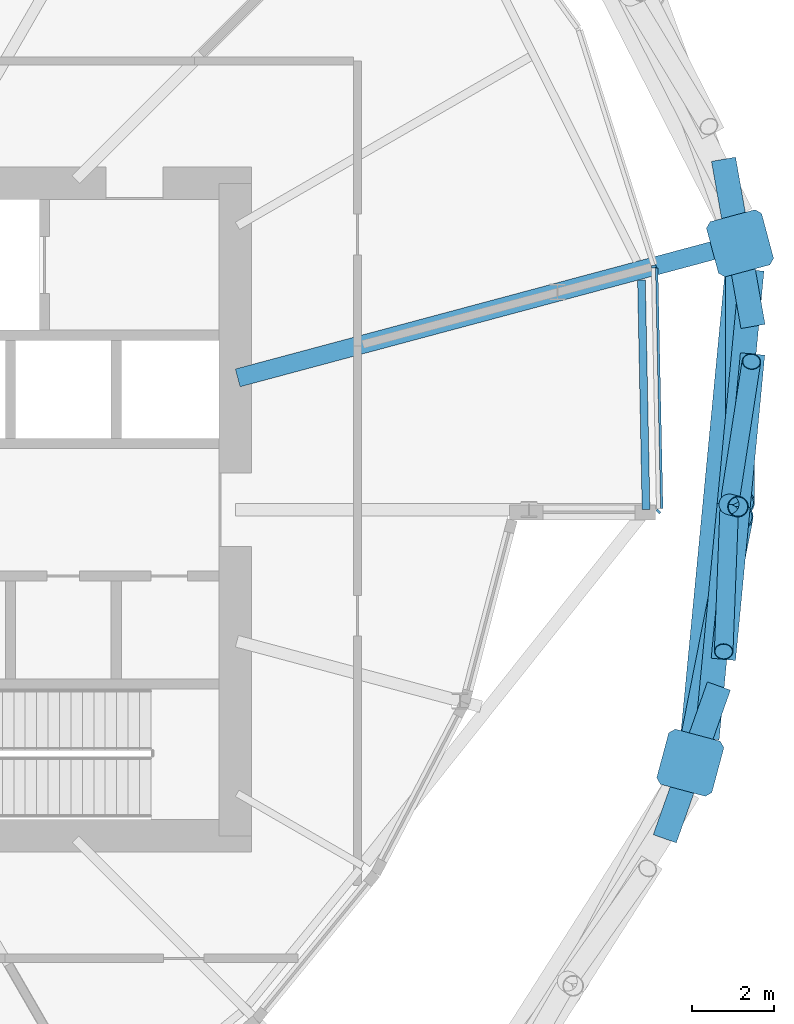
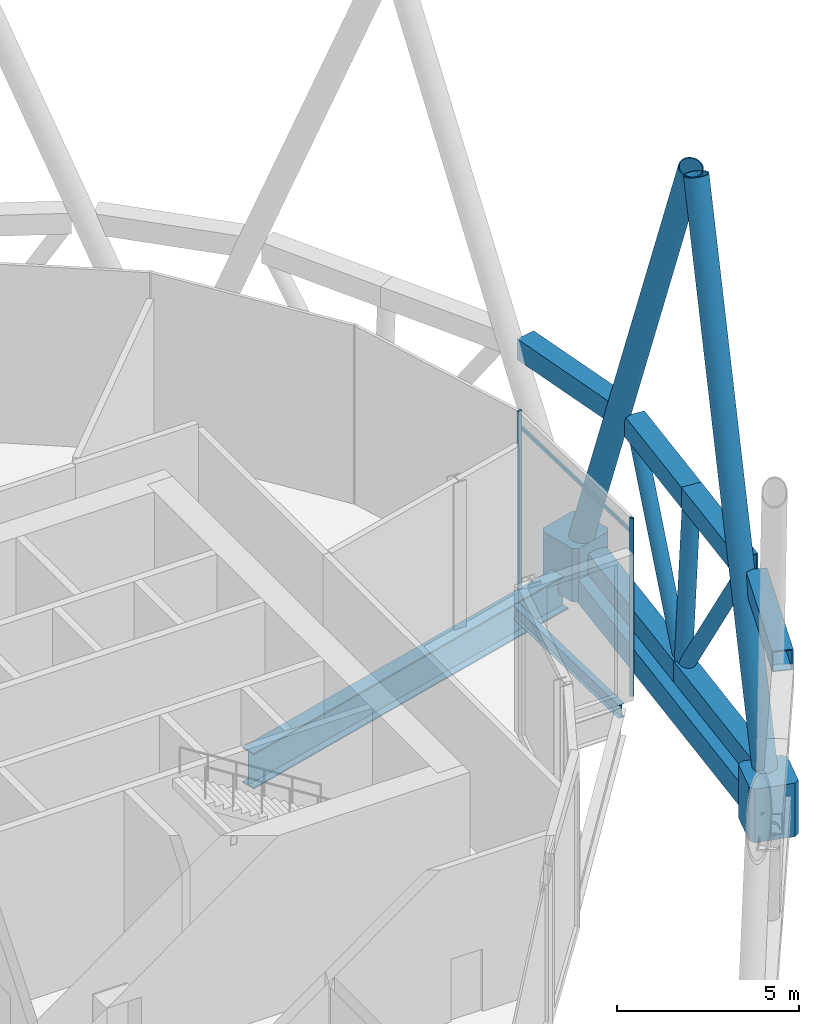
# One storey, part 20 of 33: 16 members, 3 beams, 1 element without a shape of its own.
"""IFC4 building model written with IfcOpenShell, lengths in metres."""

from ifc_helpers import new_model, si_unit, direction, frame, origin, origin_2d, place, context, subcontext, project, spatial, polyline, rectangle, hollow_rectangle, hollow_circle, i_section, outline, extrude, material, material_profile, profile_set, type_object, element, aggregate, save


model = new_model("IFC4")

# Units and contexts
model_context = context("Model", 3, precision=1e-05, world=origin(), true_north=direction((0.0, 1.0)))
body_context = subcontext(model_context, "Body", "Model", "MODEL_VIEW")
ifc_project = project(units=[si_unit("LENGTHUNIT", "METRE"), si_unit("AREAUNIT", "SQUARE_METRE"), si_unit("VOLUMEUNIT", "CUBIC_METRE"), si_unit("PLANEANGLEUNIT", "RADIAN"), si_unit("MASSUNIT", "GRAM", prefix="KILO")], contexts=[model_context])

# Site, building, storey
site_placement = place(None, origin())
site = spatial("IfcSite", under=ifc_project, at=site_placement, CompositionType="ELEMENT")
building_placement = place(site_placement, origin())
building = spatial("IfcBuilding", under=site, at=building_placement, Name="Rimbun Link Towers", CompositionType="ELEMENT")
storey_placement = place(building_placement, frame((0.0, 0.0, 75.60009765625)))
storey = spatial("IfcBuildingStorey", under=building, at=storey_placement, Name="L18", CompositionType="ELEMENT", Elevation=75.60009765625)

# Members
ifc_material_1 = material(Name="Steel S460N", Category="steel")
ifc_material_profile_1 = material_profile(ifc_material_1, hollow_rectangle(XDim=0.60009765625, YDim=0.699951171875, WallThickness=0.034912109375, at=origin_2d()), Name="Belt truss chord BOX 600x700x35")
ifc_profile_set_1 = profile_set([ifc_material_profile_1], Name="Steel S460N")
member_type_1 = type_object("IfcMemberType", Name="Belt truss chord BOX 600x700x35", PredefinedType="CHORD", material=ifc_profile_set_1)
member_1_placement = place(storey_placement, frame((54.28125, -8.069580078125, 6.0), z_axis=(0.333922204616, 0.942600637208, 0.0), x_axis=(-0.942600637208, 0.333922204616, 0.0)))
element("IfcMember", 1, at=member_1_placement, inside=storey, type_object=member_type_1, Name="Belt truss chord T2 L18 top 10", PredefinedType="CHORD", context=body_context, shape_type="SweptSolid", body=[
    extrude(hollow_rectangle(XDim=0.60009765625, YDim=0.699951171875, WallThickness=0.034912109375, at=origin_2d()), origin(), (0.0, 0.0, 1.0), 3.9736328125),
])
member_2_placement = place(storey_placement, frame((56.44482421875, 4.493408203125, 6.0), z_axis=(-0.173828841446, 0.984775880026, 0.0), x_axis=(-0.984775880026, -0.173828841446, 0.0)))
element("IfcMember", 2, at=member_2_placement, inside=storey, type_object=member_type_1, Name="Belt truss chord T2 L18 top 11", PredefinedType="CHORD", context=body_context, shape_type="SweptSolid", body=[
    extrude(hollow_rectangle(XDim=0.60009765625, YDim=0.699951171875, WallThickness=0.034912109375, at=origin_2d()), origin(), (0.0, 0.0, 1.0), 4.16162109375),
])
member_3_placement = place(storey_placement, frame((55.31494140625, -5.6162109375, 0.18994140625), z_axis=(0.095290101327, 0.995449544974, 0.0), x_axis=(-0.995449544974, 0.095290101327, 0.0)))
element("IfcMember", 3, at=member_3_placement, inside=storey, type_object=member_type_1, Name="Belt truss chord T2 L18 bottom 20", PredefinedType="CHORD", context=body_context, shape_type="SweptSolid", body=[
    extrude(hollow_rectangle(XDim=0.60009765625, YDim=0.699951171875, WallThickness=0.034912109375, at=origin_2d()), origin(), (0.0, 0.0, 1.0), 5.7724609375),
])
member_4_placement = place(storey_placement, frame((55.864990234375, 0.1298828125, 0.18994140625), z_axis=(0.095286089562, 0.995449928995, 0.0), x_axis=(-0.995449928995, 0.095286089562, 0.0)))
element("IfcMember", 4, at=member_4_placement, inside=storey, type_object=member_type_1, Name="Belt truss chord T2 L18 bottom 21", PredefinedType="CHORD", context=body_context, shape_type="SweptSolid", body=[
    extrude(hollow_rectangle(XDim=0.60009765625, YDim=0.699951171875, WallThickness=0.034912109375, at=origin_2d()), origin(), (0.0, 0.0, 1.0), 5.772705078125),
])
member_5_placement = place(storey_placement, frame((55.7177734375, -3.670166015625, 6.0), z_axis=(0.095293088506, 0.99544925902, 0.0), x_axis=(-0.99544925902, 0.095293088506, 0.0)))
element("IfcMember", 5, at=member_5_placement, inside=storey, type_object=member_type_1, Name="Belt truss chord T2 L18 top 32", PredefinedType="CHORD", context=body_context, shape_type="SweptSolid", body=[
    extrude(hollow_rectangle(XDim=0.60009765625, YDim=0.699951171875, WallThickness=0.034912109375, at=origin_2d()), origin(), (0.0, 0.0, 1.0), 3.760986328125),
])
member_6_placement = place(storey_placement, frame((56.076171875, 0.07373046875, 6.0), z_axis=(0.095299246565, 0.995448669497, 0.0), x_axis=(-0.995448669497, 0.095299246565, 0.0)))
element("IfcMember", 6, at=member_6_placement, inside=storey, type_object=member_type_1, Name="Belt truss chord T2 L18 top 33", PredefinedType="CHORD", context=body_context, shape_type="SweptSolid", body=[
    extrude(hollow_rectangle(XDim=0.60009765625, YDim=0.699951171875, WallThickness=0.034912109375, at=origin_2d()), origin(), (0.0, 0.0, 1.0), 3.7607421875),
])
ifc_material_2 = material(Name="Steel S355J2H", Category="steel")
ifc_material_profile_2 = material_profile(ifc_material_2, hollow_circle(Radius=0.228515625, WallThickness=0.01611328125, at=origin_2d()), Name="Belt truss diagonal CHS 457x16")
ifc_profile_set_2 = profile_set([ifc_material_profile_2], Name="Steel S355J2H")
member_type_2 = type_object("IfcMemberType", Name="Belt truss diagonal CHS 457x16", PredefinedType="BRACE", material=ifc_profile_set_2)
member_7_placement = place(storey_placement, frame((55.857666015625, -0.0615234375, 0.482666015625), z_axis=(-0.021231356031, -0.547245044209, 0.836703108104), x_axis=(0.999248252727, -0.038767633698, 0.0)))
element("IfcMember", 7, at=member_7_placement, inside=storey, type_object=member_type_2, Name="Belt truss diagonal T2 L18 20", PredefinedType="BRACE", context=body_context, shape_type="SweptSolid", body=[
    extrude(hollow_circle(Radius=0.228515625, WallThickness=0.01611328125, at=origin_2d()), origin(), (0.0, 0.0, 1.0), 6.243896484375),
])
member_8_placement = place(storey_placement, frame((55.893798828125, 0.31689453125, 0.484375), z_axis=(0.082509067906, 0.534046532514, 0.841419369175), x_axis=(-0.98827469554, 0.152686365324, 0.0)))
element("IfcMember", 8, at=member_8_placement, inside=storey, type_object=member_type_2, Name="Belt truss diagonal T2 L18 21", PredefinedType="BRACE", context=body_context, shape_type="SweptSolid", body=[
    extrude(hollow_circle(Radius=0.228515625, WallThickness=0.01611328125, at=origin_2d()), origin(), (0.0, 0.0, 1.0), 6.204833984375),
])
ifc_material_3 = material(Name="Steel S355J2H", Category="steel")
ifc_material_profile_3 = material_profile(ifc_material_3, hollow_circle(Radius=0.25390625, WallThickness=0.02001953125, at=origin_2d()), Name="Belt truss strut CHS 508x20")
ifc_profile_set_3 = profile_set([ifc_material_profile_3], Name="Steel S355J2H")
member_type_3 = type_object("IfcMemberType", Name="Belt truss strut CHS 508x20", PredefinedType="STRUT", material=ifc_profile_set_3)
member_9_placement = place(storey_placement, frame((55.864990234375, 0.1298828125, 0.539794921875), z_axis=(0.041288529481, -0.010978452925, 0.999086948621), x_axis=(0.256967200825, 0.966420124842, 0.0)))
element("IfcMember", 9, at=member_9_placement, inside=storey, type_object=member_type_3, Name="Belt truss strut T2 L18 10", PredefinedType="STRUT", context=body_context, shape_type="SweptSolid", body=[
    extrude(hollow_circle(Radius=0.25390625, WallThickness=0.02001953125, at=origin_2d()), origin(), (0.0, 0.0, 1.0), 5.11474609375),
])

# Curtain wall, members
ifc_material_4 = material(Name="Aluminium 6063-T6 louvre wall", Category="aluminium")
curtain_wall_type = type_object("IfcCurtainWallType", Name="CW6 plant floor louvre wall", PredefinedType="NOTDEFINED", material=ifc_material_4)
curtain_wall_placement = place(storey_placement, origin())
curtain_wall = element("IfcCurtainWall", 10, at=curtain_wall_placement, inside=storey, type_object=curtain_wall_type, Name="CW6 L18 T2", PredefinedType="NOTDEFINED")
ifc_material_5 = material(Name="Aluminium 6063-T6", Category="aluminium")
ifc_material_profile_4 = material_profile(ifc_material_5, rectangle(XDim=0.1201171875, YDim=0.06005859375, at=origin_2d()), Name="MULLION 60X120")
ifc_profile_set_4 = profile_set([ifc_material_profile_4], Name="Aluminium 6063-T6")
member_type_4 = type_object("IfcMemberType", Name="CW6 mullion 60X120", PredefinedType="MULLION", material=ifc_profile_set_4)
member_10_placement = place(storey_placement, frame((54.01220703125, 5.959228515625, 0.0), z_axis=(0.0, 0.0, 1.0), x_axis=(0.986502743935, 0.163744728794, 0.0)))
member_10 = element("IfcMember", 11, at=member_10_placement, type_object=member_type_4, Name="CW6 mullion", PredefinedType="MULLION", context=body_context, shape_type="SweptSolid", body=[
    extrude(rectangle(XDim=0.1201171875, YDim=0.06005859375, at=origin_2d()), origin(), (0.0, 0.0, 1.0), 6.0),
])
member_11_placement = place(storey_placement, frame((54.12109375, -0.0419921875, 0.0), z_axis=(0.0, 0.0, 1.0), x_axis=(0.7145126422, -0.699622529752, 0.0)))
member_11 = element("IfcMember", 12, at=member_11_placement, type_object=member_type_4, Name="CW6 mullion", PredefinedType="MULLION", context=body_context, shape_type="SweptSolid", body=[
    extrude(rectangle(XDim=0.1201171875, YDim=0.06005859375, at=origin_2d()), origin(), (0.0, 0.0, 1.0), 6.0),
])
ifc_material_6 = material(Name="Aluminium 6063-T6", Category="aluminium")
ifc_material_profile_5 = material_profile(ifc_material_6, rectangle(XDim=0.06005859375, YDim=0.1201171875, at=origin_2d()), Name="TRANSOM 60X120")
ifc_profile_set_5 = profile_set([ifc_material_profile_5], Name="Aluminium 6063-T6")
member_type_5 = type_object("IfcMemberType", Name="CW6 transom 60X120", PredefinedType="USERDEFINED", material=ifc_profile_set_5)
member_12_placement = place(storey_placement, frame((54.08349609375, 5.922119140625, 5.39990234375), z_axis=(0.021054072708, -0.999778338444, 0.0), x_axis=(0.999778338444, 0.021054072708, 0.0)))
member_12 = element("IfcMember", 13, at=member_12_placement, type_object=member_type_5, Name="CW6 transom", ObjectType="TRANSOM", PredefinedType="USERDEFINED", context=body_context, shape_type="SweptSolid", body=[
    extrude(rectangle(XDim=0.06005859375, YDim=0.1201171875, at=origin_2d()), origin(), (0.0, 0.0, 1.0), 5.890625),
])
aggregate(curtain_wall, [member_10, member_11, member_12])

# Members
ifc_material_7 = material(Name="Steel S460NH", Category="steel")
ifc_material_profile_6 = material_profile(ifc_material_7, hollow_circle(Radius=0.355712890625, WallThickness=0.031982421875, at=origin_2d()), Name="Diagrid diagonal CHS 711x32")
ifc_profile_set_6 = profile_set([ifc_material_profile_6], Name="Steel S460NH")
member_type_6 = type_object("IfcMemberType", Name="Diagrid diagonal CHS 711x32", PredefinedType="BRACE", material=ifc_profile_set_6)
member_13_placement = place(storey_placement, frame((54.93994140625, -6.037353515625, 0.4697265625), z_axis=(0.066005759087, 0.335158704482, 0.939846733557), x_axis=(-0.98115401734, 0.193227312403, 0.0)))
element("IfcMember", 14, at=member_13_placement, inside=storey, type_object=member_type_6, Name="Diagrid diagonal T2 L18-L22 20b", PredefinedType="BRACE", context=body_context, shape_type="SweptSolid", body=[
    extrude(hollow_circle(Radius=0.355712890625, WallThickness=0.031982421875, at=origin_2d()), origin(), (0.0, 0.0, 1.0), 17.513671875),
])
member_14_placement = place(storey_placement, frame((56.12646484375, 6.35595703125, 0.468017578125), z_axis=(0.000138829813, -0.351433789127, 0.936212728276), x_axis=(0.999999921972, 0.000395038288, 0.0)))
element("IfcMember", 15, at=member_14_placement, inside=storey, type_object=member_type_6, Name="Diagrid diagonal T2 L18-L22 22a", PredefinedType="BRACE", context=body_context, shape_type="SweptSolid", body=[
    extrude(hollow_circle(Radius=0.355712890625, WallThickness=0.031982421875, at=origin_2d()), origin(), (0.0, 0.0, 1.0), 17.585693359375),
])
ifc_material_8 = material(Name="Cast steel G20Mn5+QT, Rp0.2 300 MPa", Category="steel")
ifc_material_profile_7 = material_profile(ifc_material_8, outline(polyline([(0.699951171875, -0.570068359375), (0.699951171875, 0.570068359375), (0.570068359375, 0.699951171875), (-0.570068359375, 0.699951171875), (-0.699951171875, 0.570068359375), (-0.699951171875, -0.570068359375), (-0.570068359375, -0.699951171875), (0.570068359375, -0.699951171875), (0.699951171875, -0.570068359375)])), Name="NODE 1400x1400")
ifc_profile_set_7 = profile_set([ifc_material_profile_7], Name="Cast steel G20Mn5+QT, Rp0.2 300 MPa")
member_type_7 = type_object("IfcMemberType", Name="Diagrid node cast 1400", PredefinedType="USERDEFINED", material=ifc_profile_set_7)
for number, where, z_axis, x_axis, name in (
    (16, (54.906982421875, -6.204833984375, -0.900146484375), (0.0, 0.0, 1.0), (0.965925826289, -0.258819045103, 0.0), "Diagrid node L18 20"),
    (17, (56.126220703125, 6.531494140625, -0.900146484375), (0.0, 0.0, 1.0), (0.965925826289, 0.258819045103, 0.0), "Diagrid node L18 22"),
):
    element("IfcMember", number, at=place(storey_placement, frame(where, z_axis=z_axis, x_axis=x_axis)), inside=storey, type_object=member_type_7, Name=name, ObjectType="Diagrid node", PredefinedType="USERDEFINED", context=body_context, shape_type="SweptSolid", body=[
        extrude(outline(polyline([(0.699951171875, -0.570068359375), (0.699951171875, 0.570068359375), (0.570068359375, 0.699951171875), (-0.570068359375, 0.699951171875), (-0.699951171875, 0.570068359375), (-0.699951171875, -0.570068359375), (-0.570068359375, -0.699951171875), (0.570068359375, -0.699951171875), (0.699951171875, -0.570068359375)])), origin(), (0.0, 0.0, 1.0), 1.800048828125),
    ])

# Beams
ifc_material_9 = material(Name="Steel S355J2", Category="steel")
ifc_material_profile_8 = material_profile(ifc_material_9, hollow_rectangle(XDim=0.60009765625, YDim=0.800048828125, WallThickness=0.0400390625, at=origin_2d()), Name="Exoskeleton ring girder BOX 600x800x40")
ifc_profile_set_8 = profile_set([ifc_material_profile_8], Name="Steel S355J2")
beam_type_1 = type_object("IfcBeamType", Name="Exoskeleton ring girder BOX 600x800x40", PredefinedType="BEAM", material=ifc_profile_set_8)
beam_1_placement = place(storey_placement, frame((54.9736328125, -5.508056640625, -0.56005859375), z_axis=(0.095302503124, 0.995448357725, 0.0), x_axis=(-0.995448357725, 0.095302503124, 0.0)))
element("IfcBeam", 18, at=beam_1_placement, inside=storey, type_object=beam_type_1, Name="Exoskeleton ring girder L18 10", PredefinedType="BEAM", context=body_context, shape_type="SweptSolid", body=[
    extrude(hollow_rectangle(XDim=0.60009765625, YDim=0.800048828125, WallThickness=0.0400390625, at=origin_2d()), origin(), (0.0, 0.0, 1.0), 11.39453125),
])
ifc_material_10 = material(Name="Steel S355J2", Category="steel")
ifc_material_profile_9 = material_profile(ifc_material_10, i_section(OverallWidth=0.449951171875, OverallDepth=1.199951171875, WebThickness=0.030029296875, FlangeThickness=0.044921875, at=origin_2d()), Name="PG 1200x450x30/45")
ifc_profile_set_9 = profile_set([ifc_material_profile_9], Name="Steel S355J2")
beam_type_2 = type_object("IfcBeamType", Name="PG 1200x450x30/45", PredefinedType="BEAM", material=ifc_profile_set_9)
beam_2_placement = place(storey_placement, frame((43.80908203125, 3.231201171875, -0.800048828125), z_axis=(0.965927326809, 0.258813445023, 0.0), x_axis=(-0.258813445023, 0.965927326809, 0.0)))
element("IfcBeam", 19, at=beam_2_placement, inside=storey, type_object=beam_type_2, Name="Radial beam T2 L18 22", PredefinedType="BEAM", context=body_context, shape_type="SweptSolid", body=[
    extrude(i_section(OverallWidth=0.449951171875, OverallDepth=1.199951171875, WebThickness=0.030029296875, FlangeThickness=0.044921875, at=origin_2d()), origin(), (0.0, 0.0, 1.0), 12.251708984375),
])
ifc_material_11 = material(Name="Steel S355J2", Category="steel")
ifc_material_profile_10 = material_profile(ifc_material_11, i_section(OverallWidth=0.18994140625, OverallDepth=0.453369140625, WebThickness=0.008544921875, FlangeThickness=0.0126953125, at=origin_2d()), Name="UB 457x191x67")
ifc_profile_set_10 = profile_set([ifc_material_profile_10], Name="Steel S355J2")
beam_type_3 = type_object("IfcBeamType", Name="UB 457x191x67", PredefinedType="BEAM", material=ifc_profile_set_10)
beam_3_placement = place(storey_placement, frame((53.8212890625, 0.0009765625, -0.4267578125), z_axis=(-0.01987282147, 0.999802515983, 0.0), x_axis=(-0.999802515983, -0.01987282147, 0.0)))
element("IfcBeam", 20, at=beam_3_placement, inside=storey, type_object=beam_type_3, Name="Edge beam T2 L18 21", PredefinedType="BEAM", context=body_context, shape_type="SweptSolid", body=[
    extrude(i_section(OverallWidth=0.18994140625, OverallDepth=0.453369140625, WebThickness=0.008544921875, FlangeThickness=0.0126953125, at=origin_2d()), origin(), (0.0, 0.0, 1.0), 5.626708984375),
])

save(model, "model.ifc")
